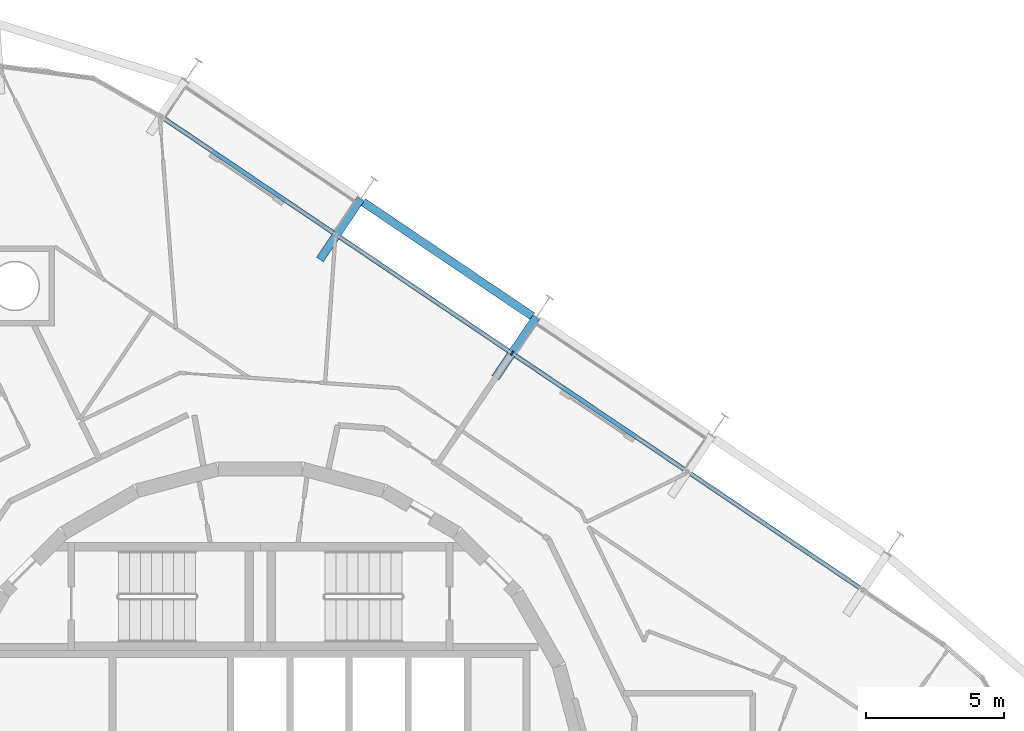
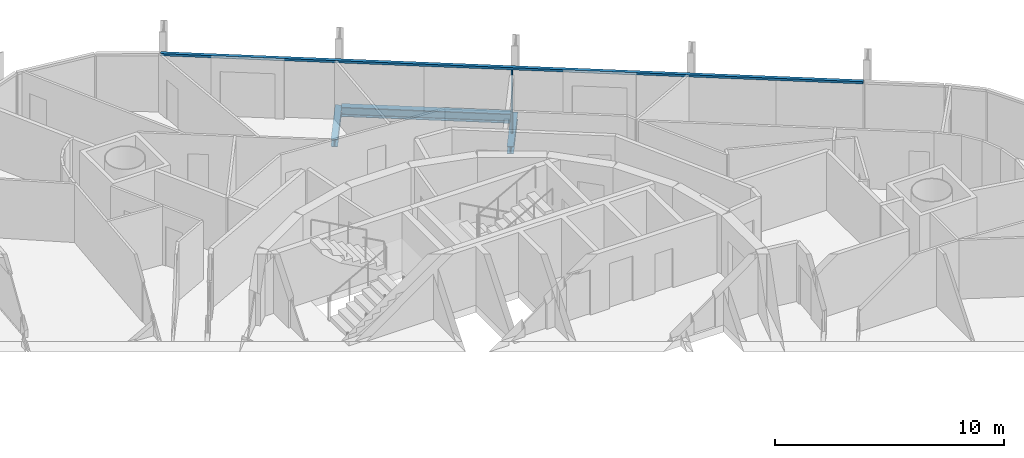
# One storey, part 7 of 18: 3 beams, 2 members, 1 element without a shape of its own.
"""IFC4 building model written with IfcOpenShell, lengths in metres."""

from ifc_helpers import new_model, si_unit, direction, frame, origin, origin_2d, place, context, subcontext, project, spatial, rectangle, i_section, extrude, material, layer, layer_set, material_profile, profile_set, type_object, element, aggregate, save


model = new_model("IFC4")

# Units and contexts
model_context = context("Model", 3, precision=1e-05, world=origin(), true_north=direction((0.0, 1.0)))
body_context = subcontext(model_context, "Body", "Model", "MODEL_VIEW")
ifc_project = project(units=[si_unit("LENGTHUNIT", "METRE"), si_unit("AREAUNIT", "SQUARE_METRE"), si_unit("VOLUMEUNIT", "CUBIC_METRE"), si_unit("PLANEANGLEUNIT", "RADIAN"), si_unit("MASSUNIT", "GRAM", prefix="KILO")], contexts=[model_context])

# Site, building, storey
site_placement = place(None, origin())
site = spatial("IfcSite", under=ifc_project, at=site_placement, CompositionType="ELEMENT")
building_placement = place(site_placement, origin())
building = spatial("IfcBuilding", under=site, at=building_placement, Name="Spindle Arch Residences", CompositionType="ELEMENT")
storey_placement = place(building_placement, frame((0.0, 0.0, 195.39990234375)))
storey = spatial("IfcBuildingStorey", under=building, at=storey_placement, Name="L49", CompositionType="ELEMENT", Elevation=195.39990234375)

# Curtain wall, members
ifc_material_1 = material(Name="Aluminium bronze unitised frame with tinted glass", Category="aluminium")
ifc_layer = layer(ifc_material_1, 0.159912109375)
ifc_layer_set = layer_set([ifc_layer], Name="CW-C typical residential unitised wall")
curtain_wall_type = type_object("IfcCurtainWallType", Name="CW-C typical residential unitised wall", PredefinedType="NOTDEFINED", material=ifc_layer_set)
curtain_wall_placement = place(storey_placement, origin())
curtain_wall = element("IfcCurtainWall", 1, at=curtain_wall_placement, inside=storey, type_object=curtain_wall_type, Name="CW-C L49 run 2", PredefinedType="NOTDEFINED")
ifc_material_2 = material(Name="Aluminium bronze anodised mullion", Category="aluminium")
ifc_material_profile_1 = material_profile(ifc_material_2, rectangle(XDim=0.159912109375, YDim=0.06005859375, at=origin_2d()), Name="MU 60x160")
ifc_profile_set_1 = profile_set([ifc_material_profile_1], Name="Aluminium bronze anodised mullion")
member_type_1 = type_object("IfcMemberType", Name="Bronze mullion 60x160", PredefinedType="MULLION", material=ifc_profile_set_1)
member_1_placement = place(storey_placement, frame((9.148193359375, 15.85595703125, -0.3798828125), z_axis=(0.0, 0.0, 1.0), x_axis=(-0.559192903471, -0.829037572555, 0.0)))
member_1 = element("IfcMember", 2, at=member_1_placement, type_object=member_type_1, Name="CW-C mullion 07", PredefinedType="MULLION", context=body_context, shape_type="SweptSolid", body=[
    extrude(rectangle(XDim=0.159912109375, YDim=0.06005859375, at=origin_2d()), origin(), (0.0, 0.0, 1.0), 3.3798828125),
])
ifc_material_3 = material(Name="Aluminium bronze anodised transom", Category="aluminium")
ifc_material_profile_2 = material_profile(ifc_material_3, rectangle(XDim=0.159912109375, YDim=0.1201171875, at=origin_2d()), Name="TR 120x160")
ifc_profile_set_2 = profile_set([ifc_material_profile_2], Name="Aluminium bronze anodised transom")
member_type_2 = type_object("IfcMemberType", Name="Bronze transom 120x160", PredefinedType="USERDEFINED", material=ifc_profile_set_2)
member_2_placement = place(storey_placement, frame((21.880126953125, 7.26806640625, 3.06005859375), z_axis=(-0.829038450691, 0.559191601578, 0.0), x_axis=(-0.559191601578, -0.829038450691, 0.0)))
member_2 = element("IfcMember", 3, at=member_2_placement, type_object=member_type_2, Name="CW-C transom 00", ObjectType="TRANSOM", PredefinedType="USERDEFINED", context=body_context, shape_type="SweptSolid", body=[
    extrude(rectangle(XDim=0.159912109375, YDim=0.1201171875, at=origin_2d()), origin(), (0.0, 0.0, 1.0), 30.71484375),
])
aggregate(curtain_wall, [member_2, member_1])

# Beams
ifc_material_4 = material(Name="Steel S460ML, intumescent coating R 120", Category="steel")
ifc_material_profile_3 = material_profile(ifc_material_4, i_section(OverallWidth=0.300048828125, OverallDepth=0.5, WebThickness=0.014404296875, FlangeThickness=0.028076171875, FilletRadius=0.027099609375, at=origin_2d()), Name="HEB 500")
ifc_profile_set_3 = profile_set([ifc_material_profile_3], Name="Steel S460ML, intumescent coating R 120")
beam_type_1 = type_object("IfcBeamType", Name="Exoskeleton edge beam HEB 500", PredefinedType="BEAM", material=ifc_profile_set_3)
beam_placement = place(storey_placement, frame((9.89599609375, 17.197021484375, -0.6298828125), z_axis=(-0.829031763913, 0.55920151504, 0.0), x_axis=(-0.55920151504, -0.829031763913, 0.0)))
element("IfcBeam", 4, at=beam_placement, inside=storey, type_object=beam_type_1, Name="Exoskeleton edge beam 8", PredefinedType="BEAM", context=body_context, shape_type="SweptSolid", body=[
    extrude(i_section(OverallWidth=0.300048828125, OverallDepth=0.5, WebThickness=0.014404296875, FlangeThickness=0.028076171875, FilletRadius=0.027099609375, at=origin_2d()), origin(), (0.0, 0.0, 1.0), 7.433837890625),
])
ifc_material_5 = material(Name="Steel S460ML, intumescent coating R 120", Category="steel")
ifc_material_profile_4 = material_profile(ifc_material_5, i_section(OverallWidth=0.300048828125, OverallDepth=0.389892578125, WebThickness=0.010986328125, FlangeThickness=0.01904296875, FilletRadius=0.027099609375, at=origin_2d()), Name="HEA 400")
ifc_profile_set_4 = profile_set([ifc_material_profile_4], Name="Steel S460ML, intumescent coating R 120")
beam_type_2 = type_object("IfcBeamType", Name="Floor outrigger HEA 400", PredefinedType="BEAM", material=ifc_profile_set_4)
for number, where, z_axis, x_axis, name in (
    (5, (10.026123046875, 17.157470703125, -0.574951171875), (-0.559241810757, -0.829004582075, 0.0), (0.829004582075, -0.559241810757, 0.0), "Floor outrigger 8"),
    (6, (3.647705078125, 21.459716796875, -0.574951171875), (-0.559135777436, -0.829076101688, 0.0), (0.829076101688, -0.559135777436, 0.0), "Floor outrigger 9"),
):
    element("IfcBeam", number, at=place(storey_placement, frame(where, z_axis=z_axis, x_axis=x_axis)), inside=storey, type_object=beam_type_2, Name=name, PredefinedType="BEAM", context=body_context, shape_type="SweptSolid", body=[
        extrude(i_section(OverallWidth=0.300048828125, OverallDepth=0.389892578125, WebThickness=0.010986328125, FlangeThickness=0.01904296875, FilletRadius=0.027099609375, at=origin_2d()), origin(), (0.0, 0.0, 1.0), 2.64990234375),
    ])

save(model, "model.ifc")
